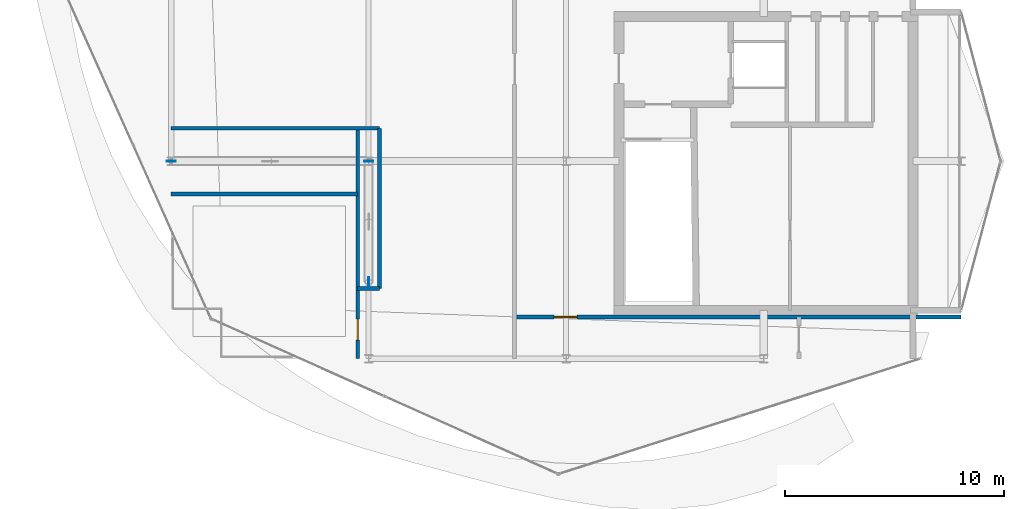
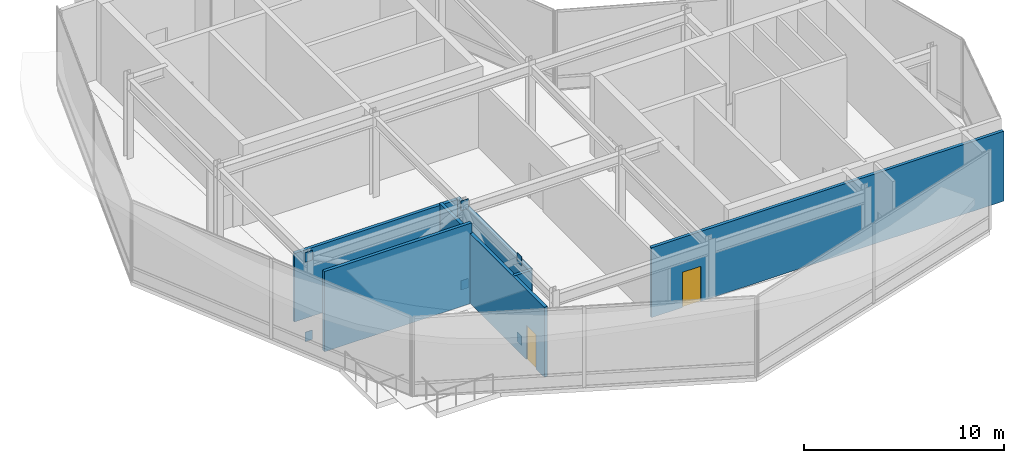
# One storey, part 16 of 19: 6 plates, 6 walls, 2 doors, 2 openings.
"""IFC4 building model written with IfcOpenShell, lengths in metres."""

from ifc_helpers import new_model, si_unit, direction, frame, frame_2d, origin, origin_2d, place, context, subcontext, project, spatial, rectangle, extrude, material, layer, layer_set, type_object, element, fill, save


model = new_model("IFC4")

# Units and contexts
model_context = context("Model", 3, precision=1e-05, world=origin(), true_north=direction((0.0, 1.0)))
body_context = subcontext(model_context, "Body", "Model", "MODEL_VIEW")
ifc_project = project(units=[si_unit("LENGTHUNIT", "METRE"), si_unit("AREAUNIT", "SQUARE_METRE"), si_unit("VOLUMEUNIT", "CUBIC_METRE"), si_unit("PLANEANGLEUNIT", "RADIAN"), si_unit("MASSUNIT", "GRAM", prefix="KILO")], contexts=[model_context])

# Site, building, storey
site_placement = place(None, origin())
site = spatial("IfcSite", under=ifc_project, at=site_placement, CompositionType="ELEMENT")
building_placement = place(site_placement, origin())
building = spatial("IfcBuilding", under=site, at=building_placement, Name="Solvaryn Broadcast Tower", CompositionType="ELEMENT")
storey_placement = place(building_placement, frame((0.0, 0.0, 302.60009765625)))
storey = spatial("IfcBuildingStorey", under=building, at=storey_placement, Name="L76", CompositionType="ELEMENT", Elevation=302.60009765625)

# Plates
ifc_material_1 = material(Name="Steel ASTM A572 Grade 50", Category="steel")
ifc_layer_1 = layer(ifc_material_1, 0.031982421875)
ifc_layer_set_1 = layer_set([ifc_layer_1], Name="PL-ENDCAP-32")
plate_type = type_object("IfcPlateType", Name="PL-ENDCAP-32", PredefinedType="USERDEFINED", material=ifc_layer_set_1)
for number, where, z_axis, x_axis, name in (
    (1, (9.0, 18.0, -0.27001953125), (0.0, 0.0, 1.0), (1.0, 0.0, 0.0), "L76 TMD Reaction X-Frame EW Continuous Diagonal End Plate A"),
    (2, (18.0, 18.0, 4.58984375), (0.0, 0.0, 1.0), (1.0, 0.0, 0.0), "L76 TMD Reaction X-Frame EW Continuous Diagonal End Plate B"),
    (3, (18.0, 18.0, -0.27001953125), (0.0, 0.0, 1.0), (1.0, 0.0, 0.0), "L76 TMD Reaction X-Frame EW End Plate 2A"),
    (4, (9.0, 18.0, 4.58984375), (0.0, 0.0, 1.0), (1.0, 0.0, 0.0), "L76 TMD Reaction X-Frame EW End Plate 2B"),
):
    element("IfcPlate", number, at=place(storey_placement, frame(where, z_axis=z_axis, x_axis=x_axis)), inside=storey, type_object=plate_type, Name=name, ObjectType="FLANGE_PLATE", PredefinedType="USERDEFINED", context=body_context, shape_type="SweptSolid", body=[
        extrude(rectangle(XDim=0.419921875, YDim=0.031982421875, at=origin_2d()), origin(), (0.0, 0.0, 1.0), 0.580078125),
    ])
for number, where, z_axis, x_axis, name in (
    (5, (18.0, 12.5, -0.27001953125), (0.0, 0.0, 1.0), (1.0, 0.0, 0.0), "L76 TMD Reaction X-Frame NS Continuous Diagonal End Plate A"),
    (6, (18.0, 12.5, 4.58984375), (0.0, 0.0, 1.0), (1.0, 0.0, 0.0), "L76 TMD Reaction X-Frame NS End Plate 2B"),
):
    element("IfcPlate", number, at=place(storey_placement, frame(where, z_axis=z_axis, x_axis=x_axis)), inside=storey, type_object=plate_type, Name=name, ObjectType="FLANGE_PLATE", PredefinedType="USERDEFINED", context=body_context, shape_type="SweptSolid", body=[
        extrude(rectangle(XDim=0.031982421875, YDim=0.419921875, at=origin_2d()), origin(), (0.0, 0.0, 1.0), 0.580078125),
    ])

# Wall, opening, door
ifc_material_2 = material(Name="Acoustic Metal-Stud Gypsum Partition")
ifc_layer_2 = layer(ifc_material_2, 0.179931640625)
ifc_layer_set_2 = layer_set([ifc_layer_2], Name="IW-PART-180")
wall_type = type_object("IfcWallType", Name="IW-PART-180", PredefinedType="PARTITIONING", material=ifc_layer_set_2)
wall_1_placement = place(storey_placement, frame((17.5, 9.0, 0.0), z_axis=(0.0, 0.0, 1.0), x_axis=(0.0, 1.0, 0.0)))
wall_1 = element("IfcWall", 7, at=wall_1_placement, inside=storey, type_object=wall_type, Name="L76 Interior Partition IW-L76-TW1A", PredefinedType="PARTITIONING", context=body_context, shape_type="SweptSolid", body=[
    extrude(rectangle(XDim=10.5, YDim=0.179931640625, at=frame_2d((5.25, 0.0))), origin(), (0.0, 0.0, 1.0), 4.268798828125),
])
opening_1_placement = place(wall_1_placement, frame((0.85009765625, 0.0, 0.0)))
opening_1 = element("IfcOpeningElement", 8, at=opening_1_placement, cuts=wall_1, Name="Opening ID01", PredefinedType="OPENING", context=body_context, shape_type="SweptSolid", body=[
    extrude(rectangle(XDim=0.949951171875, YDim=2.10009765625, at=frame_2d((0.47509765625, 1.050048828125))), frame((0.0, 0.099853515625, 0.0), z_axis=(0.0, -1.0, 0.0), x_axis=(1.0, 0.0, 0.0)), (0.0, 0.0, 1.0), 0.199951171875),
])
ifc_material_3 = material(Name="Flush Acoustic Steel and Timber Door Assembly", Category="steel")
door_type_1 = type_object("IfcDoorType", Name="ID-01-950X2100", OperationType="NOTDEFINED", PredefinedType="DOOR", material=ifc_material_3)
door_1_placement = place(opening_1_placement, origin())
door_1 = element("IfcDoor", 9, at=door_1_placement, inside=storey, type_object=door_type_1, Name="L76 Door DR-L76-TD1S", OperationType="SINGLE_SWING_LEFT", OverallHeight=2.10009765625, OverallWidth=0.949951171875, PredefinedType="DOOR", context=body_context, shape_type="SweptSolid", body=[
    extrude(rectangle(XDim=0.949951171875, YDim=2.10009765625, at=frame_2d((0.47509765625, 1.050048828125))), frame((0.0, 0.02490234375, 0.0), z_axis=(0.0, -1.0, 0.0), x_axis=(1.0, 0.0, 0.0)), (0.0, 0.0, 1.0), 0.050048828125),
])
fill(opening_1, door_1)

# Walls
wall_2_placement = place(storey_placement, frame((18.5, 12.199951171875, 0.0), z_axis=(0.0, 0.0, 1.0), x_axis=(0.0, 1.0, 0.0)))
element("IfcWall", 10, at=wall_2_placement, inside=storey, type_object=wall_type, Name="L76 Interior Partition IW-L76-TW1B", PredefinedType="PARTITIONING", context=body_context, shape_type="SweptSolid", body=[
    extrude(rectangle(XDim=7.300048828125, YDim=0.179931640625, at=frame_2d((3.64990234375, 0.0))), origin(), (0.0, 0.0, 1.0), 4.268798828125),
])
wall_3_placement = place(storey_placement, frame((17.5, 12.199951171875, 0.0), z_axis=(0.0, 0.0, 1.0), x_axis=(1.0, 0.0, 0.0)))
element("IfcWall", 11, at=wall_3_placement, inside=storey, type_object=wall_type, Name="L76 Interior Partition IW-L76-TW1S", PredefinedType="PARTITIONING", context=body_context, shape_type="SweptSolid", body=[
    extrude(rectangle(XDim=1.0, YDim=0.179931640625, at=frame_2d((0.5, 0.0))), origin(), (0.0, 0.0, 1.0), 4.27197265625),
])
wall_4_placement = place(storey_placement, frame((9.0, 16.5, 0.0), z_axis=(0.0, 0.0, 1.0), x_axis=(1.0, 0.0, 0.0)))
element("IfcWall", 12, at=wall_4_placement, inside=storey, type_object=wall_type, Name="L76 Interior Partition IW-L76-TW1C", PredefinedType="PARTITIONING", context=body_context, shape_type="SweptSolid", body=[
    extrude(rectangle(XDim=8.5, YDim=0.179931640625, at=frame_2d((4.25, 0.0))), origin(), (0.0, 0.0, 1.0), 4.89990234375),
])
wall_5_placement = place(storey_placement, frame((9.0, 19.5, 0.0), z_axis=(0.0, 0.0, 1.0), x_axis=(1.0, 0.0, 0.0)))
element("IfcWall", 13, at=wall_5_placement, inside=storey, type_object=wall_type, Name="L76 Interior Partition IW-L76-TW1D", PredefinedType="PARTITIONING", context=body_context, shape_type="SweptSolid", body=[
    extrude(rectangle(XDim=9.5, YDim=0.179931640625, at=frame_2d((4.75, 0.0))), origin(), (0.0, 0.0, 1.0), 4.18701171875),
])

# Wall, opening, door
wall_6_placement = place(storey_placement, frame((24.64990234375, 10.89990234375, 0.0), z_axis=(0.0, 0.0, 1.0), x_axis=(1.0, 0.0, 0.0)))
wall_6 = element("IfcWall", 14, at=wall_6_placement, inside=storey, type_object=wall_type, Name="L76 Interior Partition IW-L76-TW4", PredefinedType="PARTITIONING", context=body_context, shape_type="SweptSolid", body=[
    extrude(rectangle(XDim=20.35009765625, YDim=0.179931640625, at=frame_2d((10.175048828125, 0.0))), origin(), (0.0, 0.0, 1.0), 4.268798828125),
])
opening_2_placement = place(wall_6_placement, frame((1.800048828125, 0.0, 0.0)))
opening_2 = element("IfcOpeningElement", 15, at=opening_2_placement, cuts=wall_6, Name="Opening ID03", PredefinedType="OPENING", context=body_context, shape_type="SweptSolid", body=[
    extrude(rectangle(XDim=1.050048828125, YDim=2.14990234375, at=frame_2d((0.52490234375, 1.074951171875))), frame((0.0, 0.099853515625, 0.0), z_axis=(0.0, -1.0, 0.0), x_axis=(1.0, 0.0, 0.0)), (0.0, 0.0, 1.0), 0.199951171875),
])
ifc_material_4 = material(Name="Flush Acoustic Steel and Timber Door Assembly", Category="steel")
door_type_2 = type_object("IfcDoorType", Name="ID-03-1050X2150", OperationType="NOTDEFINED", PredefinedType="DOOR", material=ifc_material_4)
door_2_placement = place(opening_2_placement, origin())
door_2 = element("IfcDoor", 16, at=door_2_placement, inside=storey, type_object=door_type_2, Name="L76 Door DR-L76-TD3", OperationType="SINGLE_SWING_LEFT", OverallHeight=2.14990234375, OverallWidth=1.050048828125, PredefinedType="DOOR", context=body_context, shape_type="SweptSolid", body=[
    extrude(rectangle(XDim=1.050048828125, YDim=2.14990234375, at=frame_2d((0.52490234375, 1.074951171875))), frame((0.0, 0.02490234375, 0.0), z_axis=(0.0, -1.0, 0.0), x_axis=(1.0, 0.0, 0.0)), (0.0, 0.0, 1.0), 0.050048828125),
])
fill(opening_2, door_2)

save(model, "model.ifc")
